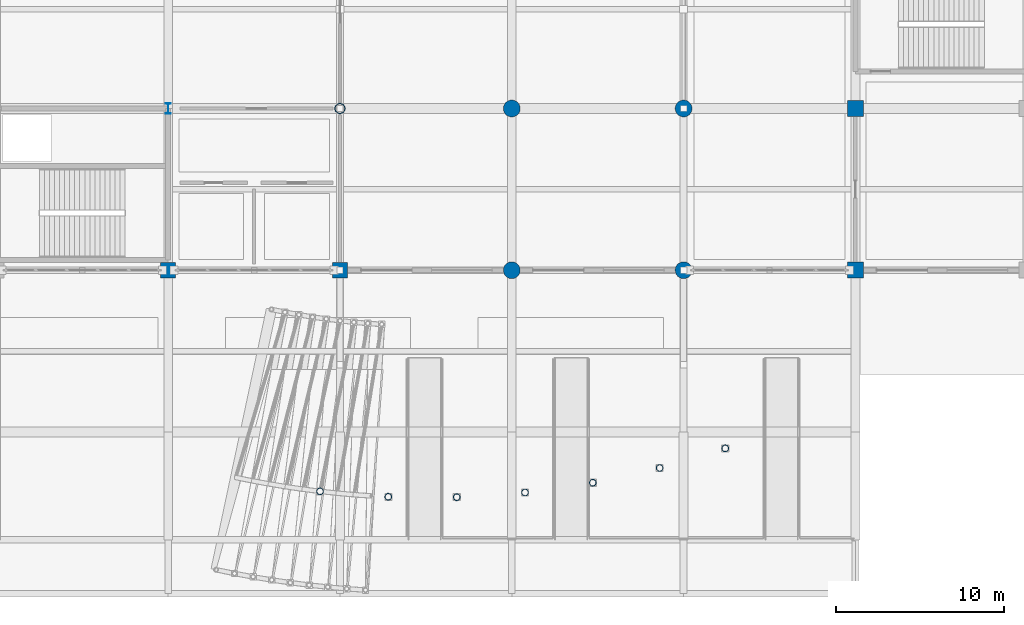
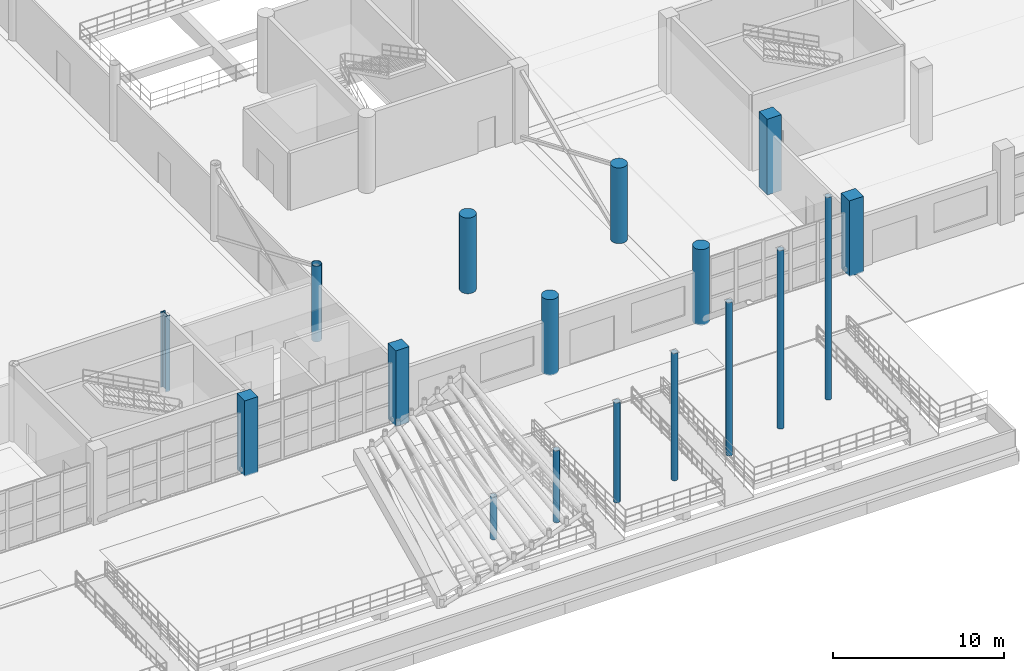
# One storey, part 10 of 124: 17 columns.
"""IFC4 building model written with IfcOpenShell, lengths in metres."""

from ifc_helpers import new_model, si_unit, direction, frame, origin, origin_2d, place, context, subcontext, project, spatial, rectangle, circle, hollow_circle, i_section, extrude, material, material_profile, profile_set, type_object, element, save


model = new_model("IFC4")

# Units and contexts
model_context = context("Model", 3, precision=1e-05, world=origin(), true_north=direction((0.0, 1.0)))
body_context = subcontext(model_context, "Body", "Model", "MODEL_VIEW")
ifc_project = project(units=[si_unit("LENGTHUNIT", "METRE"), si_unit("AREAUNIT", "SQUARE_METRE"), si_unit("VOLUMEUNIT", "CUBIC_METRE"), si_unit("PLANEANGLEUNIT", "RADIAN"), si_unit("MASSUNIT", "GRAM", prefix="KILO")], contexts=[model_context])

# Site, building, storey
site_placement = place(None, origin())
site = spatial("IfcSite", under=ifc_project, at=site_placement, CompositionType="ELEMENT")
building_placement = place(site_placement, origin())
building = spatial("IfcBuilding", under=site, at=building_placement, Name="Brelvane Convention Centre", CompositionType="ELEMENT")
storey_placement = place(building_placement, origin())
storey = spatial("IfcBuildingStorey", under=building, at=storey_placement, Name="L00", CompositionType="ELEMENT", Elevation=0.0)

# Columns
ifc_material_1 = material(Name="Concrete M50", Category="concrete")
ifc_material_profile_1 = material_profile(ifc_material_1, rectangle(XDim=0.89990234375, YDim=0.89990234375, at=origin_2d()), Name="RC 900x900")
ifc_profile_set_1 = profile_set([ifc_material_profile_1], Name="Concrete M50")
column_type_1 = type_object("IfcColumnType", Name="RC Column C-RC2 (RC 900x900)", PredefinedType="COLUMN", material=ifc_profile_set_1)
for number, where, z_axis, x_axis, name in (
    (1, (132.60009765625, 19.199951171875, 0.0), (0.0, 0.0, 1.0), (1.0, 0.0, 0.0), "Column 14-C (L00)"),
    (2, (142.800048828125, 19.199951171875, 0.0), (0.0, 0.0, 1.0), (1.0, 0.0, 0.0), "Column 15-C (L00)"),
):
    element("IfcColumn", number, at=place(storey_placement, frame(where, z_axis=z_axis, x_axis=x_axis)), inside=storey, type_object=column_type_1, Name=name, PredefinedType="COLUMN", context=body_context, shape_type="SweptSolid", body=[
        extrude(rectangle(XDim=0.89990234375, YDim=0.89990234375, at=origin_2d()), origin(), (0.0, 0.0, 1.0), 5.39990234375),
    ])
ifc_material_2 = material(Name="Concrete M50", Category="concrete")
ifc_material_profile_2 = material_profile(ifc_material_2, circle(Radius=0.5, at=origin_2d()), Name="RC-CIRC D1000")
ifc_profile_set_2 = profile_set([ifc_material_profile_2], Name="Concrete M50")
column_type_2 = type_object("IfcColumnType", Name="RC Column C-RC6 (RC-CIRC D1000)", PredefinedType="COLUMN", material=ifc_profile_set_2)
for number, where, z_axis, x_axis, name in (
    (3, (153.0, 19.199951171875, 0.0), (0.0, 0.0, 1.0), (1.0, 0.0, 0.0), "Column 16-C (L00)"),
    (4, (153.0, 28.800048828125, 0.0), (0.0, 0.0, 1.0), (1.0, 0.0, 0.0), "Column 16-D (L00)"),
    (5, (163.199951171875, 19.199951171875, 0.0), (0.0, 0.0, 1.0), (1.0, 0.0, 0.0), "Column 17-C (L00)"),
    (6, (163.199951171875, 28.800048828125, 0.0), (0.0, 0.0, 1.0), (1.0, 0.0, 0.0), "Column 17-D (L00)"),
):
    element("IfcColumn", number, at=place(storey_placement, frame(where, z_axis=z_axis, x_axis=x_axis)), inside=storey, type_object=column_type_2, Name=name, PredefinedType="COLUMN", context=body_context, shape_type="SweptSolid", body=[
        extrude(circle(Radius=0.5, at=origin_2d()), origin(), (0.0, 0.0, 1.0), 5.39990234375),
    ])
ifc_material_3 = material(Name="Concrete M50", Category="concrete")
ifc_material_profile_3 = material_profile(ifc_material_3, rectangle(XDim=0.949951171875, YDim=0.949951171875, at=origin_2d()), Name="RC 950x950")
ifc_profile_set_3 = profile_set([ifc_material_profile_3], Name="Concrete M50")
column_type_3 = type_object("IfcColumnType", Name="RC Column C-RC8 (RC 950x950)", PredefinedType="COLUMN", material=ifc_profile_set_3)
for number, where, z_axis, x_axis, name in (
    (7, (173.39990234375, 19.199951171875, 0.0), (0.0, 0.0, 1.0), (1.0, 0.0, 0.0), "Column 18-C (L00)"),
    (8, (173.39990234375, 28.800048828125, 0.0), (0.0, 0.0, 1.0), (1.0, 0.0, 0.0), "Column 18-D (L00)"),
):
    element("IfcColumn", number, at=place(storey_placement, frame(where, z_axis=z_axis, x_axis=x_axis)), inside=storey, type_object=column_type_3, Name=name, PredefinedType="COLUMN", context=body_context, shape_type="SweptSolid", body=[
        extrude(rectangle(XDim=0.949951171875, YDim=0.949951171875, at=origin_2d()), origin(), (0.0, 0.0, 1.0), 5.39990234375),
    ])
ifc_material_4 = material(Name="Steel E450 (450 MPa)", Category="steel")
ifc_material_profile_4 = material_profile(ifc_material_4, hollow_circle(Radius=0.304931640625, WallThickness=0.02490234375, at=origin_2d()), Name="CHS 610.0x25.0")
ifc_profile_set_4 = profile_set([ifc_material_profile_4], Name="Steel E450 (450 MPa)")
column_type_4 = type_object("IfcColumnType", Name="Steel Column C-ST1 (CHS 610.0x25.0)", PredefinedType="COLUMN", material=ifc_profile_set_4)
column_1_placement = place(storey_placement, frame((142.800048828125, 28.800048828125, 0.0), z_axis=(0.0, 0.0, 1.0), x_axis=(1.0, 0.0, 0.0)))
element("IfcColumn", 9, at=column_1_placement, inside=storey, type_object=column_type_4, Name="Column 15-D (L00)", PredefinedType="COLUMN", context=body_context, shape_type="SweptSolid", body=[
    extrude(hollow_circle(Radius=0.304931640625, WallThickness=0.02490234375, at=origin_2d()), origin(), (0.0, 0.0, 1.0), 5.39990234375),
])
ifc_material_5 = material(Name="Steel E450 (450 MPa)", Category="steel")
ifc_material_profile_5 = material_profile(ifc_material_5, hollow_circle(Radius=0.203125, WallThickness=0.01611328125, at=origin_2d()), Name="CHS 406.4x16.0")
ifc_profile_set_5 = profile_set([ifc_material_profile_5], Name="Steel E450 (450 MPa)")
column_type_5 = type_object("IfcColumnType", Name="Steel Column C-ST4 (CHS 406.4x16.0)", PredefinedType="COLUMN", material=ifc_profile_set_5)
column_2_placement = place(storey_placement, frame((165.67138671875, 8.62744140625, 0.0), z_axis=(0.0, 0.0, 1.0), x_axis=(1.0, 0.0, 0.0)))
element("IfcColumn", 10, at=column_2_placement, inside=storey, type_object=column_type_5, Name="Canopy Spine Column 03", PredefinedType="COLUMN", context=body_context, shape_type="SweptSolid", body=[
    extrude(hollow_circle(Radius=0.203125, WallThickness=0.01611328125, at=origin_2d()), origin(), (0.0, 0.0, 1.0), 14.45654296875),
])
column_3_placement = place(storey_placement, frame((161.77880859375, 7.46044921875, 0.0), z_axis=(0.0, 0.0, 1.0), x_axis=(1.0, 0.0, 0.0)))
element("IfcColumn", 11, at=column_3_placement, inside=storey, type_object=column_type_5, Name="Canopy Spine Column 07", PredefinedType="COLUMN", context=body_context, shape_type="SweptSolid", body=[
    extrude(hollow_circle(Radius=0.203125, WallThickness=0.01611328125, at=origin_2d()), origin(), (0.0, 0.0, 1.0), 12.735595703125),
])
column_4_placement = place(storey_placement, frame((157.81005859375, 6.585205078125, 0.0), z_axis=(0.0, 0.0, 1.0), x_axis=(1.0, 0.0, 0.0)))
element("IfcColumn", 12, at=column_4_placement, inside=storey, type_object=column_type_5, Name="Canopy Spine Column 11", PredefinedType="COLUMN", context=body_context, shape_type="SweptSolid", body=[
    extrude(hollow_circle(Radius=0.203125, WallThickness=0.01611328125, at=origin_2d()), origin(), (0.0, 0.0, 1.0), 10.94287109375),
])
column_5_placement = place(storey_placement, frame((153.78759765625, 6.006591796875, 0.0), z_axis=(0.0, 0.0, 1.0), x_axis=(1.0, 0.0, 0.0)))
element("IfcColumn", 13, at=column_5_placement, inside=storey, type_object=column_type_5, Name="Canopy Spine Column 15", PredefinedType="COLUMN", context=body_context, shape_type="SweptSolid", body=[
    extrude(hollow_circle(Radius=0.203125, WallThickness=0.01611328125, at=origin_2d()), origin(), (0.0, 0.0, 1.0), 9.078125),
])
column_6_placement = place(storey_placement, frame((149.7333984375, 5.727294921875, 0.0), z_axis=(0.0, 0.0, 1.0), x_axis=(1.0, 0.0, 0.0)))
element("IfcColumn", 14, at=column_6_placement, inside=storey, type_object=column_type_5, Name="Canopy Spine Column 19", PredefinedType="COLUMN", context=body_context, shape_type="SweptSolid", body=[
    extrude(hollow_circle(Radius=0.203125, WallThickness=0.01611328125, at=origin_2d()), origin(), (0.0, 0.0, 1.0), 7.141357421875),
])
column_7_placement = place(storey_placement, frame((145.66943359375, 5.74951171875, 0.0), z_axis=(0.0, 0.0, 1.0), x_axis=(1.0, 0.0, 0.0)))
element("IfcColumn", 15, at=column_7_placement, inside=storey, type_object=column_type_5, Name="Canopy Spine Column 23", PredefinedType="COLUMN", context=body_context, shape_type="SweptSolid", body=[
    extrude(hollow_circle(Radius=0.203125, WallThickness=0.01611328125, at=origin_2d()), origin(), (0.0, 0.0, 1.0), 5.132568359375),
])
column_8_placement = place(storey_placement, frame((141.618408203125, 6.072998046875, 0.0), z_axis=(0.0, 0.0, 1.0), x_axis=(1.0, 0.0, 0.0)))
element("IfcColumn", 16, at=column_8_placement, inside=storey, type_object=column_type_5, Name="Canopy Spine Column 27", PredefinedType="COLUMN", context=body_context, shape_type="SweptSolid", body=[
    extrude(hollow_circle(Radius=0.203125, WallThickness=0.01611328125, at=origin_2d()), origin(), (0.0, 0.0, 1.0), 3.052001953125),
])
ifc_material_6 = material(Name="Steel E450 (450 MPa)", Category="steel")
ifc_material_profile_6 = material_profile(ifc_material_6, i_section(OverallWidth=0.300048828125, OverallDepth=0.60009765625, WebThickness=0.015380859375, FlangeThickness=0.030029296875, FilletRadius=0.027099609375, at=origin_2d()), Name="WPB 600x300")
ifc_profile_set_6 = profile_set([ifc_material_profile_6], Name="Steel E450 (450 MPa)")
column_type_6 = type_object("IfcColumnType", Name="Steel Column C-ST5 (WPB 600x300)", PredefinedType="COLUMN", material=ifc_profile_set_6)
column_9_placement = place(storey_placement, frame((132.60009765625, 28.800048828125, 0.0), z_axis=(0.0, 0.0, 1.0), x_axis=(1.0, 0.0, 0.0)))
element("IfcColumn", 17, at=column_9_placement, inside=storey, type_object=column_type_6, Name="Column 14-D (L00)", PredefinedType="COLUMN", context=body_context, shape_type="SweptSolid", body=[
    extrude(i_section(OverallWidth=0.300048828125, OverallDepth=0.60009765625, WebThickness=0.015380859375, FlangeThickness=0.030029296875, FilletRadius=0.027099609375, at=origin_2d()), origin(), (0.0, 0.0, 1.0), 5.39990234375),
])

save(model, "model.ifc")
